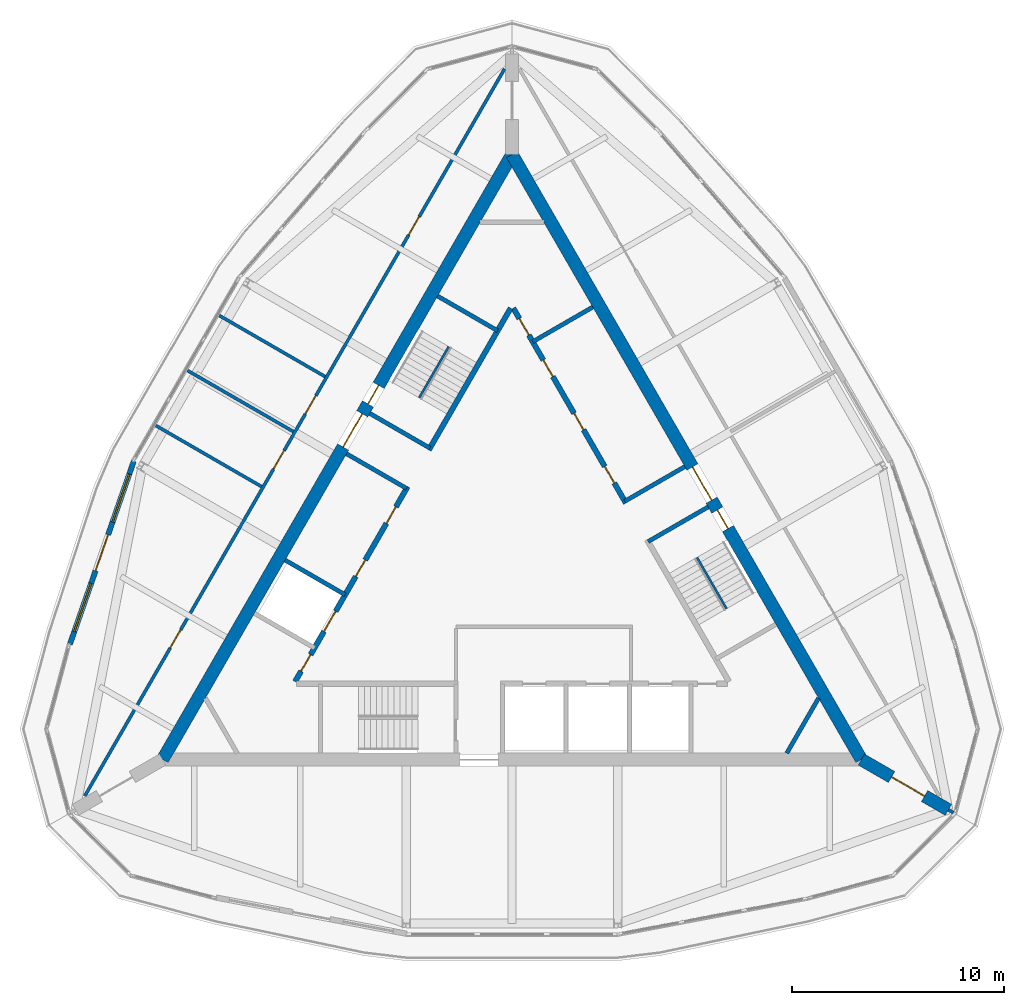
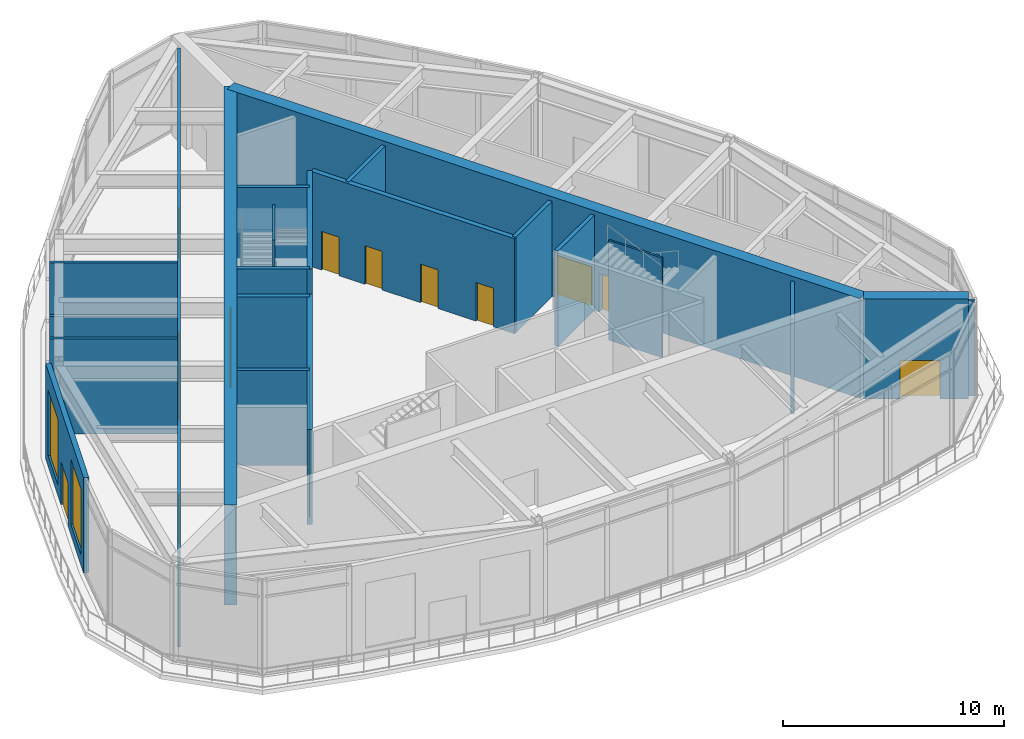
# One storey, part 6 of 9: 22 walls, 18 doors, 2 windows, 20 openings.
"""IFC4 building model written with IfcOpenShell, lengths in metres."""

from ifc_helpers import new_model, si_unit, direction, frame, frame_2d, origin, place, context, subcontext, project, spatial, rectangle, extrude, material, layer, layer_set, type_object, element, fill, save


model = new_model("IFC4")

# Units and contexts
model_context = context("Model", 3, precision=1e-05, world=origin(), true_north=direction((0.0, 1.0)))
body_context = subcontext(model_context, "Body", "Model", "MODEL_VIEW")
ifc_project = project(units=[si_unit("LENGTHUNIT", "METRE"), si_unit("AREAUNIT", "SQUARE_METRE"), si_unit("VOLUMEUNIT", "CUBIC_METRE"), si_unit("PLANEANGLEUNIT", "RADIAN"), si_unit("MASSUNIT", "GRAM", prefix="KILO")], contexts=[model_context])

# Site, building, storey
site_placement = place(None, origin())
site = spatial("IfcSite", under=ifc_project, at=site_placement, CompositionType="ELEMENT")
building_placement = place(site_placement, origin())
building = spatial("IfcBuilding", under=site, at=building_placement, Name="Trikona Tower", CompositionType="ELEMENT")
storey_placement = place(building_placement, frame((0.0, 0.0, 281.300048828125)))
storey = spatial("IfcBuildingStorey", under=building, at=storey_placement, Name="L74", CompositionType="ELEMENT", Elevation=281.300048828125)

# Wall, opening, door
ifc_material_1 = material(Name="Concrete f'c 10000 psi", Category="concrete")
ifc_layer_1 = layer(ifc_material_1, 0.60009765625)
ifc_layer_set_1 = layer_set([ifc_layer_1], Name="Buttress wall 600")
wall_type_1 = type_object("IfcWallType", Name="Buttress wall 600", PredefinedType="SHEAR", material=ifc_layer_set_1)
wall_1_placement = place(storey_placement, frame((16.5, -9.5263671875, 0.0), z_axis=(0.0, 0.0, 1.0), x_axis=(0.866031398331, -0.499989616998, 0.0)))
wall_1 = element("IfcWall", 1, at=wall_1_placement, inside=storey, type_object=wall_type_1, Name="Buttress wall 1", PredefinedType="SHEAR", context=body_context, shape_type="SweptSolid", body=[
    extrude(rectangle(XDim=4.74609375, YDim=0.60009765625, at=frame_2d((2.373046875, 0.0))), origin(), (0.0, 0.0, 1.0), 5.5),
])
opening_1_placement = place(wall_1_placement, frame((1.64990234375, 0.0, 0.0)))
opening_1 = element("IfcOpeningElement", 2, at=opening_1_placement, cuts=wall_1, Name="Opening D10", PredefinedType="OPENING", context=body_context, shape_type="SweptSolid", body=[
    extrude(rectangle(XDim=1.800048828125, YDim=2.1298828125, at=frame_2d((0.89990234375, 1.06494140625))), frame((0.0, 0.31005859375, 0.0), z_axis=(0.0, -1.0, 0.0), x_axis=(1.0, 0.0, 0.0)), (0.0, 0.0, 1.0), 0.6201171875),
])
ifc_material_2 = material(Name="Hollow metal door and frame", Category="steel")
door_type_1 = type_object("IfcDoorType", Name="Cross-corridor door pair 1800x2130", OperationType="DOUBLE_DOOR_DOUBLE_SWING", PredefinedType="DOOR", material=ifc_material_2)
door_1_placement = place(opening_1_placement, origin())
door_1 = element("IfcDoor", 3, at=door_1_placement, inside=storey, type_object=door_type_1, Name="Cross-corridor door 1", OperationType="DOUBLE_DOOR_DOUBLE_SWING", OverallHeight=2.1298828125, OverallWidth=1.800048828125, PredefinedType="DOOR", context=body_context, shape_type="SweptSolid", body=[
    extrude(rectangle(XDim=1.800048828125, YDim=2.1298828125, at=frame_2d((0.89990234375, 1.06494140625))), frame((0.0, 0.02490234375, 0.0), z_axis=(0.0, -1.0, 0.0), x_axis=(1.0, 0.0, 0.0)), (0.0, 0.0, 1.0), 0.050048828125),
])
fill(opening_1, door_1)

# Wall, openings, doors
ifc_material_3 = material(Name="Concrete f'c 10000 psi", Category="concrete")
ifc_layer_2 = layer(ifc_material_3, 0.60009765625)
ifc_layer_set_2 = layer_set([ifc_layer_2], Name="Core wall 600")
wall_type_2 = type_object("IfcWallType", Name="Core wall 600", PredefinedType="SHEAR", material=ifc_layer_set_2)
wall_2_placement = place(storey_placement, frame((16.5, -9.5263671875, 0.0), z_axis=(0.0, 0.0, 1.0), x_axis=(-0.499999749417, 0.866025548458, 0.0)))
wall_2 = element("IfcWall", 4, at=wall_2_placement, inside=storey, type_object=wall_type_2, Name="Core wall B", PredefinedType="SHEAR", context=body_context, shape_type="SweptSolid", body=[
    extrude(rectangle(XDim=33.0, YDim=0.60009765625, at=frame_2d((16.5, 0.0))), origin(), (0.0, 0.0, 1.0), 5.5),
])
opening_2_placement = place(wall_2_placement, frame((14.14990234375, 0.0, 0.0)))
opening_2 = element("IfcOpeningElement", 5, at=opening_2_placement, cuts=wall_2, Name="Opening D6", PredefinedType="OPENING", context=body_context, shape_type="SweptSolid", body=[
    extrude(rectangle(XDim=1.800048828125, YDim=2.1298828125, at=frame_2d((0.89990234375, 1.06494140625))), frame((0.0, 0.31005859375, 0.0), z_axis=(0.0, -1.0, 0.0), x_axis=(1.0, 0.0, 0.0)), (0.0, 0.0, 1.0), 0.6201171875),
])
opening_3_placement = place(wall_2_placement, frame((12.60009765625, 0.0, 0.0)))
opening_3 = element("IfcOpeningElement", 6, at=opening_3_placement, cuts=wall_2, Name="Opening D5", PredefinedType="OPENING", context=body_context, shape_type="SweptSolid", body=[
    extrude(rectangle(XDim=1.0, YDim=2.1298828125, at=frame_2d((0.5, 1.06494140625))), frame((0.0, 0.31005859375, 0.0), z_axis=(0.0, -1.0, 0.0), x_axis=(1.0, 0.0, 0.0)), (0.0, 0.0, 1.0), 0.6201171875),
])
ifc_material_4 = material(Name="Hollow metal door and frame", Category="steel")
door_type_2 = type_object("IfcDoorType", Name="Lobby door pair 1800x2130", OperationType="DOUBLE_DOOR_SINGLE_SWING", PredefinedType="DOOR", material=ifc_material_4)
door_2_placement = place(opening_2_placement, origin())
door_2 = element("IfcDoor", 7, at=door_2_placement, inside=storey, type_object=door_type_2, Name="Lift lobby door B", OperationType="DOUBLE_DOOR_SINGLE_SWING", OverallHeight=2.1298828125, OverallWidth=1.800048828125, PredefinedType="DOOR", context=body_context, shape_type="SweptSolid", body=[
    extrude(rectangle(XDim=1.800048828125, YDim=2.1298828125, at=frame_2d((0.89990234375, 1.06494140625))), frame((0.0, 0.02490234375, 0.0), z_axis=(0.0, -1.0, 0.0), x_axis=(1.0, 0.0, 0.0)), (0.0, 0.0, 1.0), 0.050048828125),
])
fill(opening_2, door_2)
ifc_material_5 = material(Name="Hollow metal door and frame", Category="steel")
door_type_3 = type_object("IfcDoorType", Name="Stair door 1000x2130", OperationType="SINGLE_SWING_LEFT", PredefinedType="DOOR", material=ifc_material_5)
door_3_placement = place(opening_3_placement, origin())
door_3 = element("IfcDoor", 8, at=door_3_placement, inside=storey, type_object=door_type_3, Name="Stair B door", OperationType="SINGLE_SWING_RIGHT", OverallHeight=2.1298828125, OverallWidth=1.0, PredefinedType="DOOR", context=body_context, shape_type="SweptSolid", body=[
    extrude(rectangle(XDim=1.0, YDim=2.1298828125, at=frame_2d((0.5, 1.06494140625))), frame((0.0, 0.02490234375, 0.0), z_axis=(0.0, -1.0, 0.0), x_axis=(1.0, 0.0, 0.0)), (0.0, 0.0, 1.0), 0.050048828125),
])
fill(opening_3, door_3)

wall_3_placement = place(storey_placement, frame((0.0, 19.052490234375, 0.0), z_axis=(0.0, 0.0, 1.0), x_axis=(-0.499999749417, -0.866025548458, 0.0)))
wall_3 = element("IfcWall", 9, at=wall_3_placement, inside=storey, type_object=wall_type_2, Name="Core wall C", PredefinedType="SHEAR", context=body_context, shape_type="SweptSolid", body=[
    extrude(rectangle(XDim=33.0, YDim=0.60009765625, at=frame_2d((16.5, 0.0))), origin(), (0.0, 0.0, 1.0), 5.5),
])
opening_4_placement = place(wall_3_placement, frame((14.14990234375, 0.0, 0.0)))
opening_4 = element("IfcOpeningElement", 10, at=opening_4_placement, cuts=wall_3, Name="Opening D6", PredefinedType="OPENING", context=body_context, shape_type="SweptSolid", body=[
    extrude(rectangle(XDim=1.800048828125, YDim=2.1298828125, at=frame_2d((0.89990234375, 1.06494140625))), frame((0.0, 0.31005859375, 0.0), z_axis=(0.0, -1.0, 0.0), x_axis=(1.0, 0.0, 0.0)), (0.0, 0.0, 1.0), 0.6201171875),
])
opening_5_placement = place(wall_3_placement, frame((12.60009765625, 0.0, 0.0)))
opening_5 = element("IfcOpeningElement", 11, at=opening_5_placement, cuts=wall_3, Name="Opening D5", PredefinedType="OPENING", context=body_context, shape_type="SweptSolid", body=[
    extrude(rectangle(XDim=1.0, YDim=2.1298828125, at=frame_2d((0.5, 1.06494140625))), frame((0.0, 0.31005859375, 0.0), z_axis=(0.0, -1.0, 0.0), x_axis=(1.0, 0.0, 0.0)), (0.0, 0.0, 1.0), 0.6201171875),
])
door_4_placement = place(opening_4_placement, origin())
door_4 = element("IfcDoor", 12, at=door_4_placement, inside=storey, type_object=door_type_2, Name="Lift lobby door C", OperationType="DOUBLE_DOOR_SINGLE_SWING", OverallHeight=2.1298828125, OverallWidth=1.800048828125, PredefinedType="DOOR", context=body_context, shape_type="SweptSolid", body=[
    extrude(rectangle(XDim=1.800048828125, YDim=2.1298828125, at=frame_2d((0.89990234375, 1.06494140625))), frame((0.0, 0.02490234375, 0.0), z_axis=(0.0, -1.0, 0.0), x_axis=(1.0, 0.0, 0.0)), (0.0, 0.0, 1.0), 0.050048828125),
])
fill(opening_4, door_4)
door_5_placement = place(opening_5_placement, origin())
door_5 = element("IfcDoor", 13, at=door_5_placement, inside=storey, type_object=door_type_3, Name="Stair C door", OperationType="SINGLE_SWING_RIGHT", OverallHeight=2.1298828125, OverallWidth=1.0, PredefinedType="DOOR", context=body_context, shape_type="SweptSolid", body=[
    extrude(rectangle(XDim=1.0, YDim=2.1298828125, at=frame_2d((0.5, 1.06494140625))), frame((0.0, 0.02490234375, 0.0), z_axis=(0.0, -1.0, 0.0), x_axis=(1.0, 0.0, 0.0)), (0.0, 0.0, 1.0), 0.050048828125),
])
fill(opening_5, door_5)

ifc_material_6 = material(Name="Metal stud and gypsum board, 1-hour", Category="gypsum")
ifc_layer_3 = layer(ifc_material_6, 0.14990234375)
ifc_layer_set_3 = layer_set([ifc_layer_3], Name="Corridor wall 150")
wall_type_3 = type_object("IfcWallType", Name="Corridor wall 150", PredefinedType="PARTITIONING", material=ifc_layer_set_3)
wall_4_placement = place(storey_placement, frame((-0.35009765625, 23.09619140625, 0.0), z_axis=(0.0, 0.0, 1.0), x_axis=(-0.499998875317, -0.866026053119, 0.0)))
wall_4 = element("IfcWall", 14, at=wall_4_placement, inside=storey, type_object=wall_type_3, Name="Corridor wall L74-3", PredefinedType="PARTITIONING", context=body_context, shape_type="SweptSolid", body=[
    extrude(rectangle(XDim=39.65380859375, YDim=0.14990234375, at=frame_2d((19.826904296875, 0.0))), origin(), (0.0, 0.0, 1.0), 5.25),
])
opening_6_placement = place(wall_4_placement, frame((8.0634765625, 0.0, 0.0)))
opening_6 = element("IfcOpeningElement", 15, at=opening_6_placement, cuts=wall_4, Name="Opening D3", PredefinedType="OPENING", context=body_context, shape_type="SweptSolid", body=[
    extrude(rectangle(XDim=1.0, YDim=2.1298828125, at=frame_2d((0.5, 1.06494140625))), frame((0.0, 0.0849609375, 0.0), z_axis=(0.0, -1.0, 0.0), x_axis=(1.0, 0.0, 0.0)), (0.0, 0.0, 1.0), 0.169921875),
])
opening_7_placement = place(wall_4_placement, frame((17.826904296875, 0.0, 0.0)))
opening_7 = element("IfcOpeningElement", 16, at=opening_7_placement, cuts=wall_4, Name="Opening D3", PredefinedType="OPENING", context=body_context, shape_type="SweptSolid", body=[
    extrude(rectangle(XDim=1.0, YDim=2.1298828125, at=frame_2d((0.5, 1.06494140625))), frame((0.0, 0.0849609375, 0.0), z_axis=(0.0, -1.0, 0.0), x_axis=(1.0, 0.0, 0.0)), (0.0, 0.0, 1.0), 0.169921875),
])
opening_8_placement = place(wall_4_placement, frame((20.826904296875, 0.0, 0.0)))
opening_8 = element("IfcOpeningElement", 17, at=opening_8_placement, cuts=wall_4, Name="Opening D3", PredefinedType="OPENING", context=body_context, shape_type="SweptSolid", body=[
    extrude(rectangle(XDim=1.0, YDim=2.1298828125, at=frame_2d((0.5, 1.06494140625))), frame((0.0, 0.0849609375, 0.0), z_axis=(0.0, -1.0, 0.0), x_axis=(1.0, 0.0, 0.0)), (0.0, 0.0, 1.0), 0.169921875),
])
opening_9_placement = place(wall_4_placement, frame((30.590576171875, 0.0, 0.0)))
opening_9 = element("IfcOpeningElement", 18, at=opening_9_placement, cuts=wall_4, Name="Opening D3", PredefinedType="OPENING", context=body_context, shape_type="SweptSolid", body=[
    extrude(rectangle(XDim=1.0, YDim=2.1298828125, at=frame_2d((0.5, 1.06494140625))), frame((0.0, 0.0849609375, 0.0), z_axis=(0.0, -1.0, 0.0), x_axis=(1.0, 0.0, 0.0)), (0.0, 0.0, 1.0), 0.169921875),
])
ifc_material_7 = material(Name="Steel door frame with solid-core timber leaf", Category="steel")
door_type_4 = type_object("IfcDoorType", Name="Room door 1000x2130", OperationType="SINGLE_SWING_LEFT", PredefinedType="DOOR", material=ifc_material_7)
door_6_placement = place(opening_6_placement, origin())
door_6 = element("IfcDoor", 19, at=door_6_placement, inside=storey, type_object=door_type_4, Name="Door Men's toilets", OperationType="SINGLE_SWING_LEFT", OverallHeight=2.1298828125, OverallWidth=1.0, PredefinedType="DOOR", context=body_context, shape_type="SweptSolid", body=[
    extrude(rectangle(XDim=1.0, YDim=2.1298828125, at=frame_2d((0.5, 1.06494140625))), frame((0.0, 0.02490234375, 0.0), z_axis=(0.0, -1.0, 0.0), x_axis=(1.0, 0.0, 0.0)), (0.0, 0.0, 1.0), 0.050048828125),
])
fill(opening_6, door_6)
door_7_placement = place(opening_7_placement, origin())
door_7 = element("IfcDoor", 20, at=door_7_placement, inside=storey, type_object=door_type_4, Name="Door Women's toilets", OperationType="SINGLE_SWING_RIGHT", OverallHeight=2.1298828125, OverallWidth=1.0, PredefinedType="DOOR", context=body_context, shape_type="SweptSolid", body=[
    extrude(rectangle(XDim=1.0, YDim=2.1298828125, at=frame_2d((0.5, 1.06494140625))), frame((0.0, 0.02490234375, 0.0), z_axis=(0.0, -1.0, 0.0), x_axis=(1.0, 0.0, 0.0)), (0.0, 0.0, 1.0), 0.050048828125),
])
fill(opening_7, door_7)
door_8_placement = place(opening_8_placement, origin())
door_8 = element("IfcDoor", 21, at=door_8_placement, inside=storey, type_object=door_type_4, Name="Door Accessible WC", OperationType="SINGLE_SWING_LEFT", OverallHeight=2.1298828125, OverallWidth=1.0, PredefinedType="DOOR", context=body_context, shape_type="SweptSolid", body=[
    extrude(rectangle(XDim=1.0, YDim=2.1298828125, at=frame_2d((0.5, 1.06494140625))), frame((0.0, 0.02490234375, 0.0), z_axis=(0.0, -1.0, 0.0), x_axis=(1.0, 0.0, 0.0)), (0.0, 0.0, 1.0), 0.050048828125),
])
fill(opening_8, door_8)
door_9_placement = place(opening_9_placement, origin())
door_9 = element("IfcDoor", 22, at=door_9_placement, inside=storey, type_object=door_type_4, Name="Door Private dining room", OperationType="SINGLE_SWING_RIGHT", OverallHeight=2.1298828125, OverallWidth=1.0, PredefinedType="DOOR", context=body_context, shape_type="SweptSolid", body=[
    extrude(rectangle(XDim=1.0, YDim=2.1298828125, at=frame_2d((0.5, 1.06494140625))), frame((0.0, 0.02490234375, 0.0), z_axis=(0.0, -1.0, 0.0), x_axis=(1.0, 0.0, 0.0)), (0.0, 0.0, 1.0), 0.050048828125),
])
fill(opening_9, door_9)

ifc_material_8 = material(Name="Concrete f'c 8000 psi", Category="concrete")
ifc_layer_4 = layer(ifc_material_8, 0.25)
ifc_layer_set_4 = layer_set([ifc_layer_4], Name="Hub wall 250")
wall_type_4 = type_object("IfcWallType", Name="Hub wall 250", PredefinedType="SOLIDWALL", material=ifc_layer_set_4)
wall_5_placement = place(storey_placement, frame((5.37890625, 2.5859375, 0.0), z_axis=(0.0, 0.0, 1.0), x_axis=(-0.500001375892, 0.866024609411, 0.0)))
wall_5 = element("IfcWall", 23, at=wall_5_placement, inside=storey, type_object=wall_type_4, Name="Lift lobby wall B2", PredefinedType="SOLIDWALL", context=body_context, shape_type="SweptSolid", body=[
    extrude(rectangle(XDim=10.6328125, YDim=0.25, at=frame_2d((5.31640625, 0.0))), origin(), (0.0, 0.0, 1.0), 5.25),
])
opening_10_placement = place(wall_5_placement, frame((9.1640625, 0.0, 0.0)))
opening_10 = element("IfcOpeningElement", 24, at=opening_10_placement, cuts=wall_5, Name="Opening D14", PredefinedType="OPENING", context=body_context, shape_type="SweptSolid", body=[
    extrude(rectangle(XDim=0.89990234375, YDim=2.1298828125, at=frame_2d((0.449951171875, 1.06494140625))), frame((0.0, 0.135009765625, 0.0), z_axis=(0.0, -1.0, 0.0), x_axis=(1.0, 0.0, 0.0)), (0.0, 0.0, 1.0), 0.27001953125),
])
opening_11_placement = place(wall_5_placement, frame((1.10009765625, 0.0, 0.0)))
opening_11 = element("IfcOpeningElement", 25, at=opening_11_placement, cuts=wall_5, Name="Opening D14", PredefinedType="OPENING", context=body_context, shape_type="SweptSolid", body=[
    extrude(rectangle(XDim=0.89990234375, YDim=2.1298828125, at=frame_2d((0.449951171875, 1.06494140625))), frame((0.0, 0.135009765625, 0.0), z_axis=(0.0, -1.0, 0.0), x_axis=(1.0, 0.0, 0.0)), (0.0, 0.0, 1.0), 0.27001953125),
])
opening_12_placement = place(wall_5_placement, frame((4.0, 0.0, 0.0)))
opening_12 = element("IfcOpeningElement", 26, at=opening_12_placement, cuts=wall_5, Name="Opening D14", PredefinedType="OPENING", context=body_context, shape_type="SweptSolid", body=[
    extrude(rectangle(XDim=0.89990234375, YDim=2.1298828125, at=frame_2d((0.449951171875, 1.06494140625))), frame((0.0, 0.135009765625, 0.0), z_axis=(0.0, -1.0, 0.0), x_axis=(1.0, 0.0, 0.0)), (0.0, 0.0, 1.0), 0.27001953125),
])
opening_13_placement = place(wall_5_placement, frame((6.89990234375, 0.0, 0.0)))
opening_13 = element("IfcOpeningElement", 27, at=opening_13_placement, cuts=wall_5, Name="Opening D14", PredefinedType="OPENING", context=body_context, shape_type="SweptSolid", body=[
    extrude(rectangle(XDim=0.89990234375, YDim=2.1298828125, at=frame_2d((0.449951171875, 1.06494140625))), frame((0.0, 0.135009765625, 0.0), z_axis=(0.0, -1.0, 0.0), x_axis=(1.0, 0.0, 0.0)), (0.0, 0.0, 1.0), 0.27001953125),
])
ifc_material_9 = material(Name="Hollow metal door and frame", Category="steel")
door_type_5 = type_object("IfcDoorType", Name="Service room door 900x2130", OperationType="SINGLE_SWING_LEFT", PredefinedType="DOOR", material=ifc_material_9)
door_10_placement = place(opening_10_placement, origin())
door_10 = element("IfcDoor", 28, at=door_10_placement, inside=storey, type_object=door_type_5, Name="Door Cleaner's store CLN", OperationType="SINGLE_SWING_RIGHT", OverallHeight=2.1298828125, OverallWidth=0.89990234375, PredefinedType="DOOR", context=body_context, shape_type="SweptSolid", body=[
    extrude(rectangle(XDim=0.89990234375, YDim=2.1298828125, at=frame_2d((0.449951171875, 1.06494140625))), frame((0.0, 0.02490234375, 0.0), z_axis=(0.0, -1.0, 0.0), x_axis=(1.0, 0.0, 0.0)), (0.0, 0.0, 1.0), 0.050048828125),
])
fill(opening_10, door_10)
door_11_placement = place(opening_11_placement, origin())
door_11 = element("IfcDoor", 29, at=door_11_placement, inside=storey, type_object=door_type_5, Name="Door Dry store RDS1", OperationType="SINGLE_SWING_LEFT", OverallHeight=2.1298828125, OverallWidth=0.89990234375, PredefinedType="DOOR", context=body_context, shape_type="SweptSolid", body=[
    extrude(rectangle(XDim=0.89990234375, YDim=2.1298828125, at=frame_2d((0.449951171875, 1.06494140625))), frame((0.0, 0.02490234375, 0.0), z_axis=(0.0, -1.0, 0.0), x_axis=(1.0, 0.0, 0.0)), (0.0, 0.0, 1.0), 0.050048828125),
])
fill(opening_11, door_11)
door_12_placement = place(opening_12_placement, origin())
door_12 = element("IfcDoor", 30, at=door_12_placement, inside=storey, type_object=door_type_5, Name="Door Dry store RDS1", OperationType="SINGLE_SWING_RIGHT", OverallHeight=2.1298828125, OverallWidth=0.89990234375, PredefinedType="DOOR", context=body_context, shape_type="SweptSolid", body=[
    extrude(rectangle(XDim=0.89990234375, YDim=2.1298828125, at=frame_2d((0.449951171875, 1.06494140625))), frame((0.0, 0.02490234375, 0.0), z_axis=(0.0, -1.0, 0.0), x_axis=(1.0, 0.0, 0.0)), (0.0, 0.0, 1.0), 0.050048828125),
])
fill(opening_12, door_12)
door_13_placement = place(opening_13_placement, origin())
door_13 = element("IfcDoor", 31, at=door_13_placement, inside=storey, type_object=door_type_5, Name="Door Dry store RDS1", OperationType="SINGLE_SWING_RIGHT", OverallHeight=2.1298828125, OverallWidth=0.89990234375, PredefinedType="DOOR", context=body_context, shape_type="SweptSolid", body=[
    extrude(rectangle(XDim=0.89990234375, YDim=2.1298828125, at=frame_2d((0.449951171875, 1.06494140625))), frame((0.0, 0.02490234375, 0.0), z_axis=(0.0, -1.0, 0.0), x_axis=(1.0, 0.0, 0.0)), (0.0, 0.0, 1.0), 0.050048828125),
])
fill(opening_13, door_13)

# Wall
wall_6_placement = place(storey_placement, frame((-0.0625, 11.794189453125, 0.0), z_axis=(0.0, 0.0, 1.0), x_axis=(-0.500006680225, -0.86602154692, 0.0)))
element("IfcWall", 32, at=wall_6_placement, inside=storey, type_object=wall_type_4, Name="Lift lobby wall C1", PredefinedType="SOLIDWALL", context=body_context, shape_type="SweptSolid", body=[
    extrude(rectangle(XDim=7.73291015625, YDim=0.25, at=frame_2d((3.866455078125, 0.0))), origin(), (0.0, 0.0, 1.0), 5.25),
])

# Wall, openings, doors
wall_7_placement = place(storey_placement, frame((-4.928955078125, 3.365478515625, 0.0), z_axis=(0.0, 0.0, 1.0), x_axis=(-0.499991433582, -0.866030349552, 0.0)))
wall_7 = element("IfcWall", 33, at=wall_7_placement, inside=storey, type_object=wall_type_4, Name="Lift lobby wall C2", PredefinedType="SOLIDWALL", context=body_context, shape_type="SweptSolid", body=[
    extrude(rectangle(XDim=10.633056640625, YDim=0.25, at=frame_2d((5.31640625, 0.0))), origin(), (0.0, 0.0, 1.0), 5.25),
])
opening_14_placement = place(wall_7_placement, frame((9.1640625, 0.0, 0.0)))
opening_14 = element("IfcOpeningElement", 34, at=opening_14_placement, cuts=wall_7, Name="Opening D14", PredefinedType="OPENING", context=body_context, shape_type="SweptSolid", body=[
    extrude(rectangle(XDim=0.89990234375, YDim=2.1298828125, at=frame_2d((0.449951171875, 1.06494140625))), frame((0.0, 0.135009765625, 0.0), z_axis=(0.0, -1.0, 0.0), x_axis=(1.0, 0.0, 0.0)), (0.0, 0.0, 1.0), 0.27001953125),
])
opening_15_placement = place(wall_7_placement, frame((1.10009765625, 0.0, 0.0)))
opening_15 = element("IfcOpeningElement", 35, at=opening_15_placement, cuts=wall_7, Name="Opening D14", PredefinedType="OPENING", context=body_context, shape_type="SweptSolid", body=[
    extrude(rectangle(XDim=0.89990234375, YDim=2.1298828125, at=frame_2d((0.449951171875, 1.06494140625))), frame((0.0, 0.135009765625, 0.0), z_axis=(0.0, -1.0, 0.0), x_axis=(1.0, 0.0, 0.0)), (0.0, 0.0, 1.0), 0.27001953125),
])
opening_16_placement = place(wall_7_placement, frame((4.0, 0.0, 0.0)))
opening_16 = element("IfcOpeningElement", 36, at=opening_16_placement, cuts=wall_7, Name="Opening D14", PredefinedType="OPENING", context=body_context, shape_type="SweptSolid", body=[
    extrude(rectangle(XDim=0.89990234375, YDim=2.1298828125, at=frame_2d((0.449951171875, 1.06494140625))), frame((0.0, 0.135009765625, 0.0), z_axis=(0.0, -1.0, 0.0), x_axis=(1.0, 0.0, 0.0)), (0.0, 0.0, 1.0), 0.27001953125),
])
opening_17_placement = place(wall_7_placement, frame((6.800048828125, 0.0, 0.0)))
opening_17 = element("IfcOpeningElement", 37, at=opening_17_placement, cuts=wall_7, Name="Opening LD", PredefinedType="OPENING", context=body_context, shape_type="SweptSolid", body=[
    extrude(rectangle(XDim=1.10009765625, YDim=2.1298828125, at=frame_2d((0.550048828125, 1.06494140625))), frame((0.0, 0.135009765625, 0.0), z_axis=(0.0, -1.0, 0.0), x_axis=(1.0, 0.0, 0.0)), (0.0, 0.0, 1.0), 0.27001953125),
])
ifc_material_10 = material(Name="Stainless steel lift landing door", Category="steel")
door_type_6 = type_object("IfcDoorType", Name="Lift landing door 1100x2130", OperationType="DOUBLE_DOOR_SLIDING", PredefinedType="USERDEFINED", material=ifc_material_10)
door_14_placement = place(opening_17_placement, origin())
door_14 = element("IfcDoor", 38, at=door_14_placement, inside=storey, type_object=door_type_6, Name="Lift landing door OB2", ObjectType="LIFT LANDING DOOR", OperationType="DOUBLE_DOOR_SLIDING", OverallHeight=2.1298828125, OverallWidth=1.10009765625, PredefinedType="USERDEFINED", context=body_context, shape_type="SweptSolid", body=[
    extrude(rectangle(XDim=1.10009765625, YDim=2.1298828125, at=frame_2d((0.550048828125, 1.06494140625))), frame((0.0, 0.02490234375, 0.0), z_axis=(0.0, -1.0, 0.0), x_axis=(1.0, 0.0, 0.0)), (0.0, 0.0, 1.0), 0.050048828125),
])
fill(opening_17, door_14)
door_15_placement = place(opening_14_placement, origin())
door_15 = element("IfcDoor", 39, at=door_15_placement, inside=storey, type_object=door_type_5, Name="Door Electrical room ELR", OperationType="SINGLE_SWING_RIGHT", OverallHeight=2.1298828125, OverallWidth=0.89990234375, PredefinedType="DOOR", context=body_context, shape_type="SweptSolid", body=[
    extrude(rectangle(XDim=0.89990234375, YDim=2.1298828125, at=frame_2d((0.449951171875, 1.06494140625))), frame((0.0, 0.02490234375, 0.0), z_axis=(0.0, -1.0, 0.0), x_axis=(1.0, 0.0, 0.0)), (0.0, 0.0, 1.0), 0.050048828125),
])
fill(opening_14, door_15)
door_16_placement = place(opening_15_placement, origin())
door_16 = element("IfcDoor", 40, at=door_16_placement, inside=storey, type_object=door_type_5, Name="Door Dry store RDS4", OperationType="SINGLE_SWING_LEFT", OverallHeight=2.1298828125, OverallWidth=0.89990234375, PredefinedType="DOOR", context=body_context, shape_type="SweptSolid", body=[
    extrude(rectangle(XDim=0.89990234375, YDim=2.1298828125, at=frame_2d((0.449951171875, 1.06494140625))), frame((0.0, 0.02490234375, 0.0), z_axis=(0.0, -1.0, 0.0), x_axis=(1.0, 0.0, 0.0)), (0.0, 0.0, 1.0), 0.050048828125),
])
fill(opening_15, door_16)
door_17_placement = place(opening_16_placement, origin())
door_17 = element("IfcDoor", 41, at=door_17_placement, inside=storey, type_object=door_type_5, Name="Door Dry store RDS4", OperationType="SINGLE_SWING_RIGHT", OverallHeight=2.1298828125, OverallWidth=0.89990234375, PredefinedType="DOOR", context=body_context, shape_type="SweptSolid", body=[
    extrude(rectangle(XDim=0.89990234375, YDim=2.1298828125, at=frame_2d((0.449951171875, 1.06494140625))), frame((0.0, 0.02490234375, 0.0), z_axis=(0.0, -1.0, 0.0), x_axis=(1.0, 0.0, 0.0)), (0.0, 0.0, 1.0), 0.050048828125),
])
fill(opening_16, door_17)

# Wall, openings, door, windows
ifc_material_11 = material(Name="Insulated precast concrete spandrel panel", Category="concrete")
ifc_layer_5 = layer(ifc_material_11, 0.25)
ifc_layer_set_5 = layer_set([ifc_layer_5], Name="Inner skin wall 250")
wall_type_5 = type_object("IfcWallType", Name="Inner skin wall 250", PredefinedType="STANDARD", material=ifc_layer_set_5)
wall_8_placement = place(storey_placement, frame((-17.86279296875, 4.566650390625, 0.0), z_axis=(0.0, 0.0, 1.0), x_axis=(-0.329571607371, -0.944130581866, 0.0)))
wall_8 = element("IfcWall", 42, at=wall_8_placement, inside=storey, type_object=wall_type_5, Name="External wall L74-16", PredefinedType="STANDARD", context=body_context, shape_type="SweptSolid", body=[
    extrude(rectangle(XDim=9.1611328125, YDim=0.25, at=frame_2d((4.58056640625, 0.0))), origin(), (0.0, 0.0, 1.0), 5.25),
])
opening_18_placement = place(wall_8_placement, frame((3.680419921875, 0.0, 0.0)))
opening_18 = element("IfcOpeningElement", 43, at=opening_18_placement, cuts=wall_8, Name="Opening D8", PredefinedType="OPENING", context=body_context, shape_type="SweptSolid", body=[
    extrude(rectangle(XDim=1.800048828125, YDim=2.39990234375, at=frame_2d((0.89990234375, 1.199951171875))), frame((0.0, 0.135009765625, 0.0), z_axis=(0.0, -1.0, 0.0), x_axis=(1.0, 0.0, 0.0)), (0.0, 0.0, 1.0), 0.27001953125),
])
opening_19_placement = place(wall_8_placement, frame((0.640380859375, 0.0, 0.60009765625)))
opening_19 = element("IfcOpeningElement", 44, at=opening_19_placement, cuts=wall_8, Name="Opening W2436", PredefinedType="OPENING", context=body_context, shape_type="SweptSolid", body=[
    extrude(rectangle(XDim=2.39990234375, YDim=3.60009765625, at=frame_2d((1.199951171875, 1.800048828125))), frame((0.0, 0.135009765625, 0.0), z_axis=(0.0, -1.0, 0.0), x_axis=(1.0, 0.0, 0.0)), (0.0, 0.0, 1.0), 0.27001953125),
])
opening_20_placement = place(wall_8_placement, frame((6.120849609375, 0.0, 0.60009765625)))
opening_20 = element("IfcOpeningElement", 45, at=opening_20_placement, cuts=wall_8, Name="Opening W2436", PredefinedType="OPENING", context=body_context, shape_type="SweptSolid", body=[
    extrude(rectangle(XDim=2.39990234375, YDim=3.60009765625, at=frame_2d((1.199951171875, 1.800048828125))), frame((0.0, 0.135009765625, 0.0), z_axis=(0.0, -1.0, 0.0), x_axis=(1.0, 0.0, 0.0)), (0.0, 0.0, 1.0), 0.27001953125),
])
ifc_material_12 = material(Name="Aluminium-framed glazed door", Category="aluminium")
door_type_7 = type_object("IfcDoorType", Name="Terrace door pair 1800x2400", OperationType="DOUBLE_DOOR_SINGLE_SWING", PredefinedType="DOOR", material=ifc_material_12)
door_18_placement = place(opening_18_placement, origin())
door_18 = element("IfcDoor", 46, at=door_18_placement, inside=storey, type_object=door_type_7, Name="Terrace door Private dining room", OperationType="DOUBLE_DOOR_SINGLE_SWING", OverallHeight=2.39990234375, OverallWidth=1.800048828125, PredefinedType="DOOR", context=body_context, shape_type="SweptSolid", body=[
    extrude(rectangle(XDim=1.800048828125, YDim=2.39990234375, at=frame_2d((0.89990234375, 1.199951171875))), frame((0.0, 0.02490234375, 0.0), z_axis=(0.0, -1.0, 0.0), x_axis=(1.0, 0.0, 0.0)), (0.0, 0.0, 1.0), 0.050048828125),
])
fill(opening_18, door_18)
ifc_material_13 = material(Name="Aluminium-framed double glazing", Category="aluminium")
window_type = type_object("IfcWindowType", Name="Window 2400x3600", PartitioningType="SINGLE_PANEL", PredefinedType="WINDOW", material=ifc_material_13)
window_1_placement = place(opening_19_placement, origin())
window_1 = element("IfcWindow", 47, at=window_1_placement, inside=storey, type_object=window_type, Name="Window L74-PDR", OverallHeight=3.60009765625, OverallWidth=2.39990234375, PartitioningType="SINGLE_PANEL", PredefinedType="WINDOW", context=body_context, shape_type="SweptSolid", body=[
    extrude(rectangle(XDim=2.39990234375, YDim=3.60009765625, at=frame_2d((1.199951171875, 1.800048828125))), frame((0.0, 0.030029296875, 0.0), z_axis=(0.0, -1.0, 0.0), x_axis=(1.0, 0.0, 0.0)), (0.0, 0.0, 1.0), 0.06005859375),
])
fill(opening_19, window_1)
window_2_placement = place(opening_20_placement, origin())
window_2 = element("IfcWindow", 48, at=window_2_placement, inside=storey, type_object=window_type, Name="Window L74-PDR", OverallHeight=3.60009765625, OverallWidth=2.39990234375, PartitioningType="SINGLE_PANEL", PredefinedType="WINDOW", context=body_context, shape_type="SweptSolid", body=[
    extrude(rectangle(XDim=2.39990234375, YDim=3.60009765625, at=frame_2d((1.199951171875, 1.800048828125))), frame((0.0, 0.030029296875, 0.0), z_axis=(0.0, -1.0, 0.0), x_axis=(1.0, 0.0, 0.0)), (0.0, 0.0, 1.0), 0.06005859375),
])
fill(opening_20, window_2)

# Walls
ifc_material_14 = material(Name="Metal stud and gypsum board, 1-hour acoustic", Category="gypsum")
ifc_layer_6 = layer(ifc_material_14, 0.14990234375)
ifc_layer_set_6 = layer_set([ifc_layer_6], Name="Party wall 150")
wall_type_6 = type_object("IfcWallType", Name="Party wall 150", PredefinedType="PARTITIONING", material=ifc_layer_set_6)
wall_9_placement = place(storey_placement, frame((-8.82861328125, 8.561279296875, 0.0), z_axis=(0.0, 0.0, 1.0), x_axis=(-0.866015751745, 0.50001671745, 0.0)))
element("IfcWall", 49, at=wall_9_placement, inside=storey, type_object=wall_type_6, Name="Partition L74 F3 u-3", PredefinedType="PARTITIONING", context=body_context, shape_type="SweptSolid", body=[
    extrude(rectangle(XDim=5.769287109375, YDim=0.14990234375, at=frame_2d((2.884765625, 0.0))), origin(), (0.0, 0.0, 1.0), 5.25),
])
wall_10_placement = place(storey_placement, frame((-10.32861328125, 5.963134765625, 0.0), z_axis=(0.0, 0.0, 1.0), x_axis=(-0.866015751745, 0.50001671745, 0.0)))
element("IfcWall", 50, at=wall_10_placement, inside=storey, type_object=wall_type_6, Name="Partition L74 F3 u-8.88178e-16", PredefinedType="PARTITIONING", context=body_context, shape_type="SweptSolid", body=[
    extrude(rectangle(XDim=5.769287109375, YDim=0.14990234375, at=frame_2d((2.884765625, 0.0))), origin(), (0.0, 0.0, 1.0), 4.39404296875),
])
wall_11_placement = place(storey_placement, frame((-11.82861328125, 3.364990234375, 0.0), z_axis=(0.0, 0.0, 1.0), x_axis=(-0.866015751745, 0.50001671745, 0.0)))
element("IfcWall", 51, at=wall_11_placement, inside=storey, type_object=wall_type_6, Name="Partition L74 F3 u3", PredefinedType="PARTITIONING", context=body_context, shape_type="SweptSolid", body=[
    extrude(rectangle(XDim=5.769287109375, YDim=0.14990234375, at=frame_2d((2.884765625, 0.0))), origin(), (0.0, 0.0, 1.0), 5.25),
])
wall_12_placement = place(storey_placement, frame((20.6103515625, -11.8994140625, 0.0), z_axis=(0.0, 0.0, 1.0), x_axis=(0.866065156741, -0.499931139538, 0.0)))
element("IfcWall", 52, at=wall_12_placement, inside=storey, type_object=wall_type_6, Name="Partition L74 Buttress wall 1 closure", PredefinedType="PARTITIONING", context=body_context, shape_type="SweptSolid", body=[
    extrude(rectangle(XDim=0.27001953125, YDim=0.14990234375, at=frame_2d((0.135009765625, 0.0))), origin(), (0.0, 0.0, 1.0), 5.25),
])
ifc_material_15 = material(Name="Concrete f'c 8000 psi", Category="concrete")
ifc_layer_7 = layer(ifc_material_15, 0.199951171875)
ifc_layer_set_7 = layer_set([ifc_layer_7], Name="Shaft wall 200")
wall_type_7 = type_object("IfcWallType", Name="Shaft wall 200", PredefinedType="SOLIDWALL", material=ifc_layer_set_7)
for number, where, z_axis, x_axis, name in (
    (53, (5.3291015625, 2.672607421875, 0.0), (0.0, 0.0, 1.0), (0.866027924134, 0.499995634601, 0.0), "Shaft wall B3"),
    (54, (0.97900390625, 10.20703125, 0.0), (0.0, 0.0, 1.0), (0.866027924134, 0.499995634601, 0.0), "Shaft wall B6"),
    (55, (-4.97900390625, 3.27880859375, 0.0), (0.0, 0.0, 1.0), (-0.866027924134, 0.499995634601, 0.0), "Shaft wall C3"),
    (56, (-7.87890625, -1.744140625, 0.0), (0.0, 0.0, 1.0), (-0.866027924134, 0.499995634601, 0.0), "Shaft wall C5"),
):
    element("IfcWall", number, at=place(storey_placement, frame(where, z_axis=z_axis, x_axis=x_axis)), inside=storey, type_object=wall_type_7, Name=name, PredefinedType="SOLIDWALL", context=body_context, shape_type="SweptSolid", body=[
        extrude(rectangle(XDim=3.27490234375, YDim=0.199951171875, at=frame_2d((1.637451171875, 0.0))), origin(), (0.0, 0.0, 1.0), 5.25),
    ])
wall_13_placement = place(storey_placement, frame((14.479248046875, -6.626220703125, 0.0), z_axis=(0.0, 0.0, 1.0), x_axis=(-0.499952404951, -0.866052881055, 0.0)))
element("IfcWall", 57, at=wall_13_placement, inside=storey, type_object=wall_type_7, Name="Riser wall L74-RS1", PredefinedType="SOLIDWALL", context=body_context, shape_type="SweptSolid", body=[
    extrude(rectangle(XDim=3.002197265625, YDim=0.199951171875, at=frame_2d((1.5009765625, 0.0))), origin(), (0.0, 0.0, 1.0), 5.25),
])
ifc_material_16 = material(Name="Concrete f'c 8000 psi", Category="concrete")
ifc_layer_8 = layer(ifc_material_16, 0.199951171875)
ifc_layer_set_8 = layer_set([ifc_layer_8], Name="Shaft wall 200 load-bearing")
wall_type_8 = type_object("IfcWallType", Name="Shaft wall 200 load-bearing", PredefinedType="SOLIDWALL", material=ifc_layer_set_8)
for number, where, z_axis, x_axis, name in (
    (58, (6.428955078125, 0.767333984375, 0.0), (0.0, 0.0, 1.0), (0.866027924134, 0.499995634601, 0.0), "Shaft wall B2"),
    (59, (-0.678955078125, 10.7265625, 0.0), (0.0, 0.0, 1.0), (-0.866027924134, 0.499995634601, 0.0), "Shaft wall C1"),
    (60, (-3.87890625, 5.18408203125, 0.0), (0.0, 0.0, 1.0), (-0.866027924134, 0.499995634601, 0.0), "Shaft wall C2"),
):
    element("IfcWall", number, at=place(storey_placement, frame(where, z_axis=z_axis, x_axis=x_axis)), inside=storey, type_object=wall_type_8, Name=name, PredefinedType="SOLIDWALL", context=body_context, shape_type="SweptSolid", body=[
        extrude(rectangle(XDim=3.27490234375, YDim=0.199951171875, at=frame_2d((1.637451171875, 0.0))), origin(), (0.0, 0.0, 1.0), 5.25),
    ])
ifc_material_17 = material(Name="Concrete f'c 5000 psi", Category="concrete")
ifc_layer_9 = layer(ifc_material_17, 0.10009765625)
ifc_layer_set_9 = layer_set([ifc_layer_9], Name="Stair spine wall 100")
wall_type_9 = type_object("IfcWallType", Name="Stair spine wall 100", PredefinedType="SOLIDWALL", material=ifc_layer_set_9)
for number, where, z_axis, x_axis, name in (
    (61, (10.134765625, -2.4013671875, 0.0), (0.0, 0.0, 1.0), (-0.499992232847, 0.866029888106, 0.0), "Stair B spine wall L74"),
    (62, (-2.98779296875, 9.9775390625, 0.0), (0.0, 0.0, 1.0), (-0.499992232847, -0.866029888106, 0.0), "Stair C spine wall L74"),
):
    element("IfcWall", number, at=place(storey_placement, frame(where, z_axis=z_axis, x_axis=x_axis)), inside=storey, type_object=wall_type_9, Name=name, PredefinedType="SOLIDWALL", context=body_context, shape_type="SweptSolid", body=[
        extrude(rectangle(XDim=2.7939453125, YDim=0.10009765625, at=frame_2d((1.39697265625, 0.0))), origin(), (0.0, 0.0, 1.0), 5.5),
    ])

save(model, "model.ifc")
